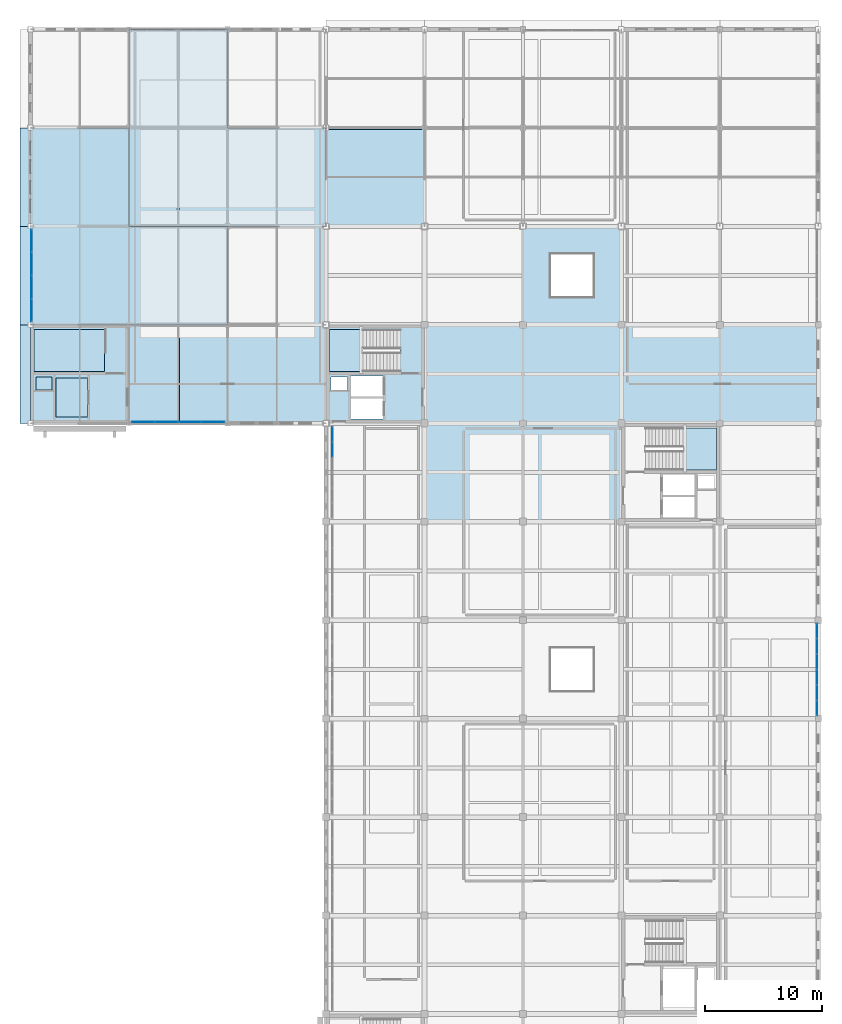
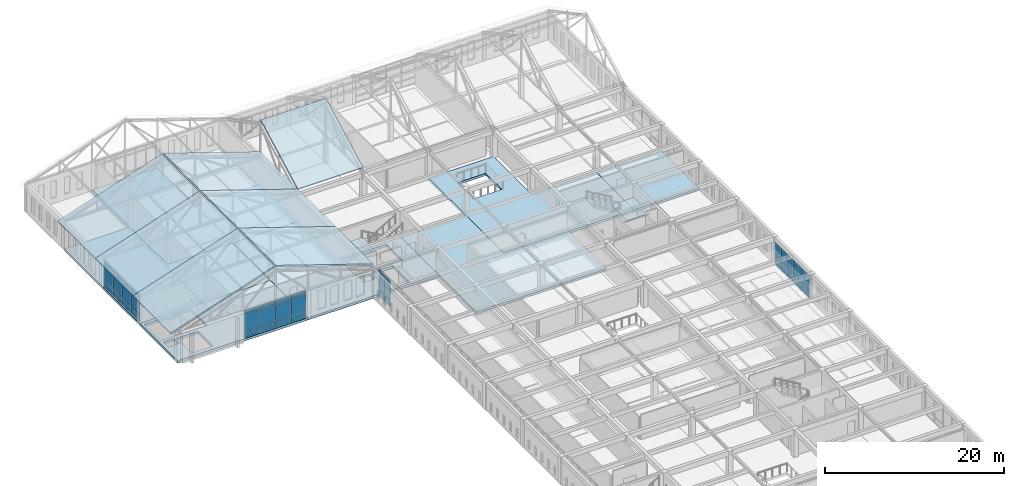
# One storey, part 31 of 56: 42 plates, 16 slabs, 6 elements without a shape of their own.
"""IFC4 building model written with IfcOpenShell, lengths in metres."""

import ifcopenshell
import ifcopenshell.guid

model = None  # the IFC model being written
_history = None  # IfcOwnerHistory: only IFC2X3 demands one
_inside = {}  # id of a spatial element -> (the spatial element, [elements in it])
_under = {}  # id of a project, library or spatial element -> (it, [spatial elements below it])
_declared = {}  # id of a project -> (the project, [libraries it declares])
_typed = {}  # id of a type object -> (the type object, [elements of that type])
_made_of = {}  # id of a material, layer set ... -> (it, [elements and type objects made of it])


def new_model(schema):
    """Start an empty IFC model of exactly this schema.

    Asked for "IFC4X3", IfcOpenShell would pick the latest addendum, in which some entities
    have other attributes; the version numbers below select the first issue.
    IFC2X3 requires an IfcOwnerHistory on every rooted entity: one is made here for all.
    """
    global model, _history
    if schema == "IFC4X3":
        model = ifcopenshell.file(schema_version=(4, 3, 0, 0))
    else:
        model = ifcopenshell.file(schema=schema)
    _inside.clear()
    _under.clear()
    _declared.clear()
    _typed.clear()
    _made_of.clear()
    _history = None
    if model.schema == "IFC2X3":
        org = make("IfcOrganization", Name="unknown")
        user = make(
            "IfcPersonAndOrganization",
            ThePerson=make("IfcPerson", FamilyName="unknown"),
            TheOrganization=org,
        )
        app = make(
            "IfcApplication",
            ApplicationDeveloper=org,
            Version="unknown",
            ApplicationFullName="unknown",
            ApplicationIdentifier="unknown",
        )
        _history = make(
            "IfcOwnerHistory",
            OwningUser=user,
            OwningApplication=app,
            ChangeAction="ADDED",
            CreationDate=0,
        )
    return model


def make(cls, **values):
    """One entity of the class cls with the attributes given. An attribute that is None is left unset."""
    return model.create_entity(
        cls, **{name: value for name, value in values.items() if value is not None}
    )


def rooted(cls, **values):
    """An entity with a GlobalId (a new one), such as an element, a storey or a relation."""
    return make(cls, GlobalId=ifcopenshell.guid.new(), OwnerHistory=_history, **values)


def si_unit(unit_type, name, prefix=None):
    """IfcSIUnit, for example si_unit("LENGTHUNIT", "METRE", prefix="MILLI")."""
    return make("IfcSIUnit", UnitType=unit_type, Prefix=prefix, Name=name)


def assignment(units):
    """IfcUnitAssignment: the units of a project."""
    return None if units is None else make("IfcUnitAssignment", Units=units)


def point(xyz):
    """IfcCartesianPoint."""
    return None if xyz is None else make("IfcCartesianPoint", Coordinates=xyz)


def direction(xyz):
    """IfcDirection."""
    return None if xyz is None else make("IfcDirection", DirectionRatios=xyz)


def frame(location, z_axis=None, x_axis=None):
    """IfcAxis2Placement3D, a coordinate frame: its origin and axes. An axis left out is left unset."""
    return make(
        "IfcAxis2Placement3D",
        Location=point(location),
        Axis=direction(z_axis),
        RefDirection=direction(x_axis),
    )


def frame_2d(location, x_axis=None):
    """IfcAxis2Placement2D, a coordinate frame in the plane: its origin and x axis."""
    return make(
        "IfcAxis2Placement2D", Location=point(location), RefDirection=direction(x_axis)
    )


def origin():
    """The frame at (0, 0, 0) with its axes left unset."""
    return frame((0.0, 0.0, 0.0))


def origin_2d():
    """The frame at (0, 0) in the plane with its x axis left unset."""
    return frame_2d((0.0, 0.0))


def place(relative_to, where):
    """IfcLocalPlacement: puts the frame where relative to a parent placement (None: the world)."""
    return make(
        "IfcLocalPlacement", PlacementRelTo=relative_to, RelativePlacement=where
    )


def context(
    kind, dimensions, precision=None, world=None, true_north=None, identifier=None
):
    """IfcGeometricRepresentationContext, for example the 3D "Model" context."""
    return make(
        "IfcGeometricRepresentationContext",
        ContextIdentifier=identifier,
        ContextType=kind,
        CoordinateSpaceDimension=dimensions,
        Precision=precision,
        WorldCoordinateSystem=world,
        TrueNorth=true_north,
    )


def subcontext(parent, identifier, kind, view, scale=None):
    """IfcGeometricRepresentationSubContext, for example "Body" below "Model"."""
    return make(
        "IfcGeometricRepresentationSubContext",
        ContextIdentifier=identifier,
        ContextType=kind,
        ParentContext=parent,
        TargetScale=scale,
        TargetView=view,
    )


def project(units=None, contexts=None):
    """IfcProject with its units and contexts."""
    return rooted(
        "IfcProject",
        Name="project",
        RepresentationContexts=contexts,
        UnitsInContext=assignment(units),
    )


def spatial(cls, under=None, at=None, **own):
    """A site, building, storey or space (cls), placed at a placement, below another one or the project."""
    s = rooted(cls, ObjectPlacement=at, **own)
    if under is not None:
        _under.setdefault(under.id(), (under, []))[1].append(s)
    return s


def polyline(points):
    """IfcPolyline through the points."""
    return make("IfcPolyline", Points=[point(p) for p in points])


def profile(cls, at=None, kind="AREA", **sizes):
    """A parametric profile (cls). Its sizes go by their IFC names, for example OverallWidth=200.0."""
    return make(cls, ProfileType=kind, Position=at, **sizes)


def rectangle(**sizes):
    """IfcRectangleProfileDef."""
    return profile("IfcRectangleProfileDef", **sizes)


def outline(outer, holes=None, kind="AREA"):
    """IfcArbitraryClosedProfileDef: a profile drawn as a closed curve; with holes, ...WithVoids."""
    if holes is None:
        return make("IfcArbitraryClosedProfileDef", ProfileType=kind, OuterCurve=outer)
    return make(
        "IfcArbitraryProfileDefWithVoids",
        ProfileType=kind,
        OuterCurve=outer,
        InnerCurves=holes,
    )


def extrude(swept, where, along, depth):
    """IfcExtrudedAreaSolid: the profile swept, set in the frame where, extruded along a direction by depth."""
    return make(
        "IfcExtrudedAreaSolid",
        SweptArea=swept,
        Position=where,
        ExtrudedDirection=direction(along),
        Depth=depth,
    )


def shape(context_of_items, identifier, shape_type, items):
    """IfcShapeRepresentation: the items that make up one representation, for example the "Body"."""
    return make(
        "IfcShapeRepresentation",
        ContextOfItems=context_of_items,
        RepresentationIdentifier=identifier,
        RepresentationType=shape_type,
        Items=items,
    )


def material(Name=None, Category=None):
    """IfcMaterial."""
    return make("IfcMaterial", Name=Name, Category=Category)


def layer(
    of_material, thickness, ventilated=None, Name=None, Category=None, Priority=None
):
    """IfcMaterialLayer: one layer of a wall or slab, of a material (None: an air gap)."""
    return make(
        "IfcMaterialLayer",
        Material=of_material,
        LayerThickness=thickness,
        IsVentilated=ventilated,
        Name=Name,
        Category=Category,
        Priority=Priority,
    )


def layer_set(layers, Name=None):
    """IfcMaterialLayerSet."""
    return make("IfcMaterialLayerSet", MaterialLayers=layers, LayerSetName=Name)


def made_of(thing, what):
    """Note that an element or type object is made of a material, layer set ...; save() writes the relation."""
    if what is not None:
        _made_of.setdefault(what.id(), (what, []))[1].append(thing)
    return thing


def type_object(cls, material=None, **own):
    """A type object (cls), such as IfcWallType, which elements share."""
    return made_of(rooted(cls, **own), material)


def element(
    cls,
    number,
    at=None,
    inside=None,
    cuts=None,
    type_object=None,
    material=None,
    context=None,
    identifier="Body",
    shape_type=None,
    held_by="IfcProductDefinitionShape",
    body=None,
    shapes=None,
    **own,
):
    """One element of the class cls, such as IfcWall. Its Tag is "e" and its number.

    at: its placement. inside: the storey or other place that contains it. cuts: it is an
    opening in that element (IfcRelVoidsElement). A single representation is given by context,
    identifier, shape_type and body (its items); several are given by shapes. held_by: the class
    of the entity that holds the representations. save() writes the other relations.
    """
    e = rooted(cls, Tag="e%d" % number, ObjectPlacement=at, **own)
    if body is not None:
        shapes = [shape(context, identifier, shape_type, body)]
    if shapes is not None:
        e.Representation = make(held_by, Representations=shapes)
    if inside is not None:
        _inside.setdefault(inside.id(), (inside, []))[1].append(e)
    if cuts is not None:
        rooted(
            "IfcRelVoidsElement", RelatingBuildingElement=cuts, RelatedOpeningElement=e
        )
    if type_object is not None:
        _typed.setdefault(type_object.id(), (type_object, []))[1].append(e)
    return made_of(e, material)


def aggregate(whole, parts):
    """IfcRelAggregates: a whole, such as a stair, and the parts it consists of."""
    return rooted("IfcRelAggregates", RelatingObject=whole, RelatedObjects=parts)


def save(model, path):
    """Write the relations noted so far, then the file.

    IfcRelAggregates (storeys below a building ...), IfcRelContainedInSpatialStructure (elements
    in a storey), IfcRelDefinesByType, IfcRelAssociatesMaterial and IfcRelDeclares: one each for
    every whole, place, type object, material and project.
    """
    for whole, parts in _under.values():
        aggregate(whole, parts)
    for where, things in _inside.values():
        rooted(
            "IfcRelContainedInSpatialStructure",
            RelatedElements=things,
            RelatingStructure=where,
        )
    for kind, things in _typed.values():
        rooted("IfcRelDefinesByType", RelatedObjects=things, RelatingType=kind)
    for what, things in _made_of.values():
        rooted("IfcRelAssociatesMaterial", RelatedObjects=things, RelatingMaterial=what)
    for by, libraries in _declared.values():
        rooted("IfcRelDeclares", RelatingContext=by, RelatedDefinitions=libraries)
    model.write(path)


model = new_model("IFC4")

# Units and contexts
model_context = context("Model", 3, precision=1e-05, world=origin(), true_north=direction((0.0, 1.0)))
body_context = subcontext(model_context, "Body", "Model", "MODEL_VIEW")
ifc_project = project(units=[si_unit("LENGTHUNIT", "METRE"), si_unit("AREAUNIT", "SQUARE_METRE"), si_unit("VOLUMEUNIT", "CUBIC_METRE"), si_unit("PLANEANGLEUNIT", "RADIAN"), si_unit("MASSUNIT", "GRAM", prefix="KILO")], contexts=[model_context])

# Site, building, storey
site_placement = place(None, origin())
site = spatial("IfcSite", under=ifc_project, at=site_placement, CompositionType="ELEMENT")
building_placement = place(site_placement, origin())
building = spatial("IfcBuilding", under=site, at=building_placement, Name="Kveldsbrygga Polytechnic", CompositionType="ELEMENT")
storey_placement = place(building_placement, frame((0.0, 0.0, 18.02001953125)))
storey = spatial("IfcBuildingStorey", under=building, at=storey_placement, Name="L04", CompositionType="ELEMENT", Elevation=18.02001953125)

# Curtain wall, plates
ifc_material_1 = material(Name="Anodised aluminium AW-6060", Category="aluminium")
ifc_layer_1 = layer(ifc_material_1, 0.179931640625)
ifc_layer_set_1 = layer_set([ifc_layer_1], Name="Anodised aluminium AW-6060")
curtain_wall_type_1 = type_object("IfcCurtainWallType", Name="CW-CONC-A", PredefinedType="USERDEFINED", material=ifc_layer_set_1)
curtain_wall_1_placement = place(storey_placement, origin())
curtain_wall_1 = element("IfcCurtainWall", 1, at=curtain_wall_1_placement, inside=storey, type_object=curtain_wall_type_1, Name="Curtain Wall CW-L04-Y-20-07", ObjectType="UNITISED CURTAIN WALL", PredefinedType="USERDEFINED")
ifc_material_2 = material(Name="Insulated triple low-E glass", Category="glass")
ifc_layer_2 = layer(ifc_material_2, 0.035888671875)
ifc_layer_set_2 = layer_set([ifc_layer_2], Name="Insulated triple low-E glass")
plate_type_1 = type_object("IfcPlateType", Name="CW-PAN-VIS36", PredefinedType="CURTAIN_PANEL", material=ifc_layer_set_2)
plate_1_placement = place(storey_placement, frame((167.89990234375, 59.718017578125, 0.06005859375), z_axis=(0.0, 0.0, 1.0), x_axis=(0.0, 1.0, 0.0)))
plate_1 = element("IfcPlate", 2, at=plate_1_placement, type_object=plate_type_1, Name="CW-01 panel 1.1", PredefinedType="CURTAIN_PANEL", context=body_context, shape_type="SweptSolid", body=[
    extrude(rectangle(XDim=1.225830078125, YDim=0.035888671875, at=origin_2d()), origin(), (0.0, 0.0, 1.0), 0.81005859375),
])
plate_2_placement = place(storey_placement, frame((167.89990234375, 59.718017578125, 0.929931640625), z_axis=(0.0, 0.0, 1.0), x_axis=(0.0, 1.0, 0.0)))
plate_2 = element("IfcPlate", 3, at=plate_2_placement, type_object=plate_type_1, Name="CW-01 panel 1.2", PredefinedType="CURTAIN_PANEL", context=body_context, shape_type="SweptSolid", body=[
    extrude(rectangle(XDim=1.225830078125, YDim=0.035888671875, at=origin_2d()), origin(), (0.0, 0.0, 1.0), 2.18994140625),
])
plate_3_placement = place(storey_placement, frame((167.89990234375, 61.018798828125, 0.06005859375), z_axis=(0.0, 0.0, 1.0), x_axis=(0.0, 1.0, 0.0)))
plate_3 = element("IfcPlate", 4, at=plate_3_placement, type_object=plate_type_1, Name="CW-01 panel 2.1", PredefinedType="CURTAIN_PANEL", context=body_context, shape_type="SweptSolid", body=[
    extrude(rectangle(XDim=1.255859375, YDim=0.035888671875, at=origin_2d()), origin(), (0.0, 0.0, 1.0), 0.81005859375),
])
plate_4_placement = place(storey_placement, frame((167.89990234375, 61.018798828125, 0.929931640625), z_axis=(0.0, 0.0, 1.0), x_axis=(0.0, 1.0, 0.0)))
plate_4 = element("IfcPlate", 5, at=plate_4_placement, type_object=plate_type_1, Name="CW-01 panel 2.2", PredefinedType="CURTAIN_PANEL", context=body_context, shape_type="SweptSolid", body=[
    extrude(rectangle(XDim=1.255859375, YDim=0.035888671875, at=origin_2d()), origin(), (0.0, 0.0, 1.0), 2.18994140625),
])
plate_5_placement = place(storey_placement, frame((167.89990234375, 62.33447265625, 0.06005859375), z_axis=(0.0, 0.0, 1.0), x_axis=(0.0, 1.0, 0.0)))
plate_5 = element("IfcPlate", 6, at=plate_5_placement, type_object=plate_type_1, Name="CW-01 panel 3.1", PredefinedType="CURTAIN_PANEL", context=body_context, shape_type="SweptSolid", body=[
    extrude(rectangle(XDim=1.255859375, YDim=0.035888671875, at=origin_2d()), origin(), (0.0, 0.0, 1.0), 0.81005859375),
])
plate_6_placement = place(storey_placement, frame((167.89990234375, 62.33447265625, 0.929931640625), z_axis=(0.0, 0.0, 1.0), x_axis=(0.0, 1.0, 0.0)))
plate_6 = element("IfcPlate", 7, at=plate_6_placement, type_object=plate_type_1, Name="CW-01 panel 3.2", PredefinedType="CURTAIN_PANEL", context=body_context, shape_type="SweptSolid", body=[
    extrude(rectangle(XDim=1.255859375, YDim=0.035888671875, at=origin_2d()), origin(), (0.0, 0.0, 1.0), 2.18994140625),
])
plate_7_placement = place(storey_placement, frame((167.89990234375, 63.650390625, 0.06005859375), z_axis=(0.0, 0.0, 1.0), x_axis=(0.0, 1.0, 0.0)))
plate_7 = element("IfcPlate", 8, at=plate_7_placement, type_object=plate_type_1, Name="CW-01 panel 4.1", PredefinedType="CURTAIN_PANEL", context=body_context, shape_type="SweptSolid", body=[
    extrude(rectangle(XDim=1.255859375, YDim=0.035888671875, at=origin_2d()), origin(), (0.0, 0.0, 1.0), 0.81005859375),
])
plate_8_placement = place(storey_placement, frame((167.89990234375, 63.650390625, 0.929931640625), z_axis=(0.0, 0.0, 1.0), x_axis=(0.0, 1.0, 0.0)))
plate_8 = element("IfcPlate", 9, at=plate_8_placement, type_object=plate_type_1, Name="CW-01 panel 4.2", PredefinedType="CURTAIN_PANEL", context=body_context, shape_type="SweptSolid", body=[
    extrude(rectangle(XDim=1.255859375, YDim=0.035888671875, at=origin_2d()), origin(), (0.0, 0.0, 1.0), 2.18994140625),
])
plate_9_placement = place(storey_placement, frame((167.89990234375, 64.96630859375, 0.06005859375), z_axis=(0.0, 0.0, 1.0), x_axis=(0.0, 1.0, 0.0)))
plate_9 = element("IfcPlate", 10, at=plate_9_placement, type_object=plate_type_1, Name="CW-01 panel 5.1", PredefinedType="CURTAIN_PANEL", context=body_context, shape_type="SweptSolid", body=[
    extrude(rectangle(XDim=1.255859375, YDim=0.035888671875, at=origin_2d()), origin(), (0.0, 0.0, 1.0), 0.81005859375),
])
plate_10_placement = place(storey_placement, frame((167.89990234375, 64.96630859375, 0.929931640625), z_axis=(0.0, 0.0, 1.0), x_axis=(0.0, 1.0, 0.0)))
plate_10 = element("IfcPlate", 11, at=plate_10_placement, type_object=plate_type_1, Name="CW-01 panel 5.2", PredefinedType="CURTAIN_PANEL", context=body_context, shape_type="SweptSolid", body=[
    extrude(rectangle(XDim=1.255859375, YDim=0.035888671875, at=origin_2d()), origin(), (0.0, 0.0, 1.0), 2.18994140625),
])
plate_11_placement = place(storey_placement, frame((167.89990234375, 66.26708984375, 0.06005859375), z_axis=(0.0, 0.0, 1.0), x_axis=(0.0, 1.0, 0.0)))
plate_11 = element("IfcPlate", 12, at=plate_11_placement, type_object=plate_type_1, Name="CW-01 panel 6.1", PredefinedType="CURTAIN_PANEL", context=body_context, shape_type="SweptSolid", body=[
    extrude(rectangle(XDim=1.225830078125, YDim=0.035888671875, at=origin_2d()), origin(), (0.0, 0.0, 1.0), 0.81005859375),
])
plate_12_placement = place(storey_placement, frame((167.89990234375, 66.26708984375, 0.929931640625), z_axis=(0.0, 0.0, 1.0), x_axis=(0.0, 1.0, 0.0)))
plate_12 = element("IfcPlate", 13, at=plate_12_placement, type_object=plate_type_1, Name="CW-01 panel 6.2", PredefinedType="CURTAIN_PANEL", context=body_context, shape_type="SweptSolid", body=[
    extrude(rectangle(XDim=1.225830078125, YDim=0.035888671875, at=origin_2d()), origin(), (0.0, 0.0, 1.0), 2.18994140625),
])
aggregate(curtain_wall_1, [plate_1, plate_2, plate_3, plate_4, plate_5, plate_6, plate_7, plate_8, plate_9, plate_10, plate_11, plate_12])

ifc_layer_3 = layer(ifc_material_1, 0.199951171875)
ifc_layer_set_3 = layer_set([ifc_layer_3], Name="Anodised aluminium AW-6060")
curtain_wall_type_2 = type_object("IfcCurtainWallType", Name="CW-LANC-E", PredefinedType="USERDEFINED", material=ifc_layer_set_3)
curtain_wall_2_placement = place(storey_placement, origin())
curtain_wall_2 = element("IfcCurtainWall", 14, at=curtain_wall_2_placement, inside=storey, type_object=curtain_wall_type_2, Name="Curtain Wall CW-L04-Y-12-11", ObjectType="UNITISED CURTAIN WALL", PredefinedType="USERDEFINED")
ifc_layer_4 = layer(ifc_material_2, 0.0419921875)
ifc_layer_set_4 = layer_set([ifc_layer_4], Name="Insulated triple low-E glass")
plate_type_2 = type_object("IfcPlateType", Name="CW-PAN-VIS42", PredefinedType="CURTAIN_PANEL", material=ifc_layer_set_4)
plate_13_placement = place(storey_placement, frame((100.89990234375, 93.6337890625, 0.06005859375), z_axis=(0.0, 0.0, 1.0), x_axis=(0.0, 1.0, 0.0)))
plate_13 = element("IfcPlate", 15, at=plate_13_placement, type_object=plate_type_2, Name="CW-05 panel 1.1", PredefinedType="CURTAIN_PANEL", context=body_context, shape_type="SweptSolid", body=[
    extrude(rectangle(XDim=1.8974609375, YDim=0.0419921875, at=origin_2d()), origin(), (0.0, 0.0, 1.0), 0.81005859375),
])
plate_14_placement = place(storey_placement, frame((100.89990234375, 93.6337890625, 0.929931640625), z_axis=(0.0, 0.0, 1.0), x_axis=(0.0, 1.0, 0.0)))
plate_14 = element("IfcPlate", 16, at=plate_14_placement, type_object=plate_type_2, Name="CW-05 panel 1.2", PredefinedType="CURTAIN_PANEL", context=body_context, shape_type="SweptSolid", body=[
    extrude(rectangle(XDim=1.8974609375, YDim=0.0419921875, at=origin_2d()), origin(), (0.0, 0.0, 1.0), 2.27001953125),
])
plate_15_placement = place(storey_placement, frame((100.89990234375, 93.6337890625, 3.260009765625), z_axis=(0.0, 0.0, 1.0), x_axis=(0.0, 1.0, 0.0)))
plate_15 = element("IfcPlate", 17, at=plate_15_placement, type_object=plate_type_2, Name="CW-05 panel 1.3", PredefinedType="CURTAIN_PANEL", context=body_context, shape_type="SweptSolid", body=[
    extrude(rectangle(XDim=1.8974609375, YDim=0.0419921875, at=origin_2d()), origin(), (0.0, 0.0, 1.0), 0.4599609375),
])
plate_16_placement = place(storey_placement, frame((100.89990234375, 95.606201171875, 0.06005859375), z_axis=(0.0, 0.0, 1.0), x_axis=(0.0, 1.0, 0.0)))
plate_16 = element("IfcPlate", 18, at=plate_16_placement, type_object=plate_type_2, Name="CW-05 panel 2.1", PredefinedType="CURTAIN_PANEL", context=body_context, shape_type="SweptSolid", body=[
    extrude(rectangle(XDim=1.927490234375, YDim=0.0419921875, at=origin_2d()), origin(), (0.0, 0.0, 1.0), 0.81005859375),
])
plate_17_placement = place(storey_placement, frame((100.89990234375, 95.606201171875, 0.929931640625), z_axis=(0.0, 0.0, 1.0), x_axis=(0.0, 1.0, 0.0)))
plate_17 = element("IfcPlate", 19, at=plate_17_placement, type_object=plate_type_2, Name="CW-05 panel 2.2", PredefinedType="CURTAIN_PANEL", context=body_context, shape_type="SweptSolid", body=[
    extrude(rectangle(XDim=1.927490234375, YDim=0.0419921875, at=origin_2d()), origin(), (0.0, 0.0, 1.0), 2.27001953125),
])
plate_18_placement = place(storey_placement, frame((100.89990234375, 95.606201171875, 3.260009765625), z_axis=(0.0, 0.0, 1.0), x_axis=(0.0, 1.0, 0.0)))
plate_18 = element("IfcPlate", 20, at=plate_18_placement, type_object=plate_type_2, Name="CW-05 panel 2.3", PredefinedType="CURTAIN_PANEL", context=body_context, shape_type="SweptSolid", body=[
    extrude(rectangle(XDim=1.927490234375, YDim=0.0419921875, at=origin_2d()), origin(), (0.0, 0.0, 1.0), 0.4599609375),
])
plate_19_placement = place(storey_placement, frame((100.89990234375, 97.59375, 0.06005859375), z_axis=(0.0, 0.0, 1.0), x_axis=(0.0, 1.0, 0.0)))
plate_19 = element("IfcPlate", 21, at=plate_19_placement, type_object=plate_type_2, Name="CW-05 panel 3.1", PredefinedType="CURTAIN_PANEL", context=body_context, shape_type="SweptSolid", body=[
    extrude(rectangle(XDim=1.927490234375, YDim=0.0419921875, at=origin_2d()), origin(), (0.0, 0.0, 1.0), 0.81005859375),
])
plate_20_placement = place(storey_placement, frame((100.89990234375, 97.59375, 0.929931640625), z_axis=(0.0, 0.0, 1.0), x_axis=(0.0, 1.0, 0.0)))
plate_20 = element("IfcPlate", 22, at=plate_20_placement, type_object=plate_type_2, Name="CW-05 panel 3.2", PredefinedType="CURTAIN_PANEL", context=body_context, shape_type="SweptSolid", body=[
    extrude(rectangle(XDim=1.927490234375, YDim=0.0419921875, at=origin_2d()), origin(), (0.0, 0.0, 1.0), 2.27001953125),
])
plate_21_placement = place(storey_placement, frame((100.89990234375, 97.59375, 3.260009765625), z_axis=(0.0, 0.0, 1.0), x_axis=(0.0, 1.0, 0.0)))
plate_21 = element("IfcPlate", 23, at=plate_21_placement, type_object=plate_type_2, Name="CW-05 panel 3.3", PredefinedType="CURTAIN_PANEL", context=body_context, shape_type="SweptSolid", body=[
    extrude(rectangle(XDim=1.927490234375, YDim=0.0419921875, at=origin_2d()), origin(), (0.0, 0.0, 1.0), 0.4599609375),
])
plate_22_placement = place(storey_placement, frame((100.89990234375, 99.566162109375, 0.06005859375), z_axis=(0.0, 0.0, 1.0), x_axis=(0.0, 1.0, 0.0)))
plate_22 = element("IfcPlate", 24, at=plate_22_placement, type_object=plate_type_2, Name="CW-05 panel 4.1", PredefinedType="CURTAIN_PANEL", context=body_context, shape_type="SweptSolid", body=[
    extrude(rectangle(XDim=1.8974609375, YDim=0.0419921875, at=origin_2d()), origin(), (0.0, 0.0, 1.0), 0.81005859375),
])
plate_23_placement = place(storey_placement, frame((100.89990234375, 99.566162109375, 0.929931640625), z_axis=(0.0, 0.0, 1.0), x_axis=(0.0, 1.0, 0.0)))
plate_23 = element("IfcPlate", 25, at=plate_23_placement, type_object=plate_type_2, Name="CW-05 panel 4.2", PredefinedType="CURTAIN_PANEL", context=body_context, shape_type="SweptSolid", body=[
    extrude(rectangle(XDim=1.8974609375, YDim=0.0419921875, at=origin_2d()), origin(), (0.0, 0.0, 1.0), 2.27001953125),
])
plate_24_placement = place(storey_placement, frame((100.89990234375, 99.566162109375, 3.260009765625), z_axis=(0.0, 0.0, 1.0), x_axis=(0.0, 1.0, 0.0)))
plate_24 = element("IfcPlate", 26, at=plate_24_placement, type_object=plate_type_2, Name="CW-05 panel 4.3", PredefinedType="CURTAIN_PANEL", context=body_context, shape_type="SweptSolid", body=[
    extrude(rectangle(XDim=1.8974609375, YDim=0.0419921875, at=origin_2d()), origin(), (0.0, 0.0, 1.0), 0.4599609375),
])
aggregate(curtain_wall_2, [plate_13, plate_14, plate_15, plate_16, plate_17, plate_18, plate_19, plate_20, plate_21, plate_22, plate_23, plate_24])

curtain_wall_3_placement = place(storey_placement, origin())
curtain_wall_3 = element("IfcCurtainWall", 27, at=curtain_wall_3_placement, inside=storey, type_object=curtain_wall_type_2, Name="Curtain Wall CW-L04-X-13-10", ObjectType="UNITISED CURTAIN WALL", PredefinedType="USERDEFINED")
plate_25_placement = place(storey_placement, frame((110.409423828125, 84.10009765625, 0.06005859375), z_axis=(0.0, 0.0, 1.0), x_axis=(1.0, 0.0, 0.0)))
plate_25 = element("IfcPlate", 28, at=plate_25_placement, type_object=plate_type_2, Name="CW-05 panel 1.1", PredefinedType="CURTAIN_PANEL", context=body_context, shape_type="SweptSolid", body=[
    extrude(rectangle(XDim=1.90869140625, YDim=0.0419921875, at=origin_2d()), origin(), (0.0, 0.0, 1.0), 0.81005859375),
])
plate_26_placement = place(storey_placement, frame((110.409423828125, 84.10009765625, 0.929931640625), z_axis=(0.0, 0.0, 1.0), x_axis=(1.0, 0.0, 0.0)))
plate_26 = element("IfcPlate", 29, at=plate_26_placement, type_object=plate_type_2, Name="CW-05 panel 1.2", PredefinedType="CURTAIN_PANEL", context=body_context, shape_type="SweptSolid", body=[
    extrude(rectangle(XDim=1.90869140625, YDim=0.0419921875, at=origin_2d()), origin(), (0.0, 0.0, 1.0), 2.27001953125),
])
plate_27_placement = place(storey_placement, frame((110.409423828125, 84.10009765625, 3.260009765625), z_axis=(0.0, 0.0, 1.0), x_axis=(1.0, 0.0, 0.0)))
plate_27 = element("IfcPlate", 30, at=plate_27_placement, type_object=plate_type_2, Name="CW-05 panel 1.3", PredefinedType="CURTAIN_PANEL", context=body_context, shape_type="SweptSolid", body=[
    extrude(rectangle(XDim=1.90869140625, YDim=0.0419921875, at=origin_2d()), origin(), (0.0, 0.0, 1.0), 0.4599609375),
])
plate_28_placement = place(storey_placement, frame((112.39306640625, 84.10009765625, 0.06005859375), z_axis=(0.0, 0.0, 1.0), x_axis=(1.0, 0.0, 0.0)))
plate_28 = element("IfcPlate", 31, at=plate_28_placement, type_object=plate_type_2, Name="CW-05 panel 2.1", PredefinedType="CURTAIN_PANEL", context=body_context, shape_type="SweptSolid", body=[
    extrude(rectangle(XDim=1.938720703125, YDim=0.0419921875, at=origin_2d()), origin(), (0.0, 0.0, 1.0), 0.81005859375),
])
plate_29_placement = place(storey_placement, frame((112.39306640625, 84.10009765625, 0.929931640625), z_axis=(0.0, 0.0, 1.0), x_axis=(1.0, 0.0, 0.0)))
plate_29 = element("IfcPlate", 32, at=plate_29_placement, type_object=plate_type_2, Name="CW-05 panel 2.2", PredefinedType="CURTAIN_PANEL", context=body_context, shape_type="SweptSolid", body=[
    extrude(rectangle(XDim=1.938720703125, YDim=0.0419921875, at=origin_2d()), origin(), (0.0, 0.0, 1.0), 2.27001953125),
])
plate_30_placement = place(storey_placement, frame((112.39306640625, 84.10009765625, 3.260009765625), z_axis=(0.0, 0.0, 1.0), x_axis=(1.0, 0.0, 0.0)))
plate_30 = element("IfcPlate", 33, at=plate_30_placement, type_object=plate_type_2, Name="CW-05 panel 2.3", PredefinedType="CURTAIN_PANEL", context=body_context, shape_type="SweptSolid", body=[
    extrude(rectangle(XDim=1.938720703125, YDim=0.0419921875, at=origin_2d()), origin(), (0.0, 0.0, 1.0), 0.4599609375),
])
plate_31_placement = place(storey_placement, frame((114.391845703125, 84.10009765625, 0.06005859375), z_axis=(0.0, 0.0, 1.0), x_axis=(1.0, 0.0, 0.0)))
plate_31 = element("IfcPlate", 34, at=plate_31_placement, type_object=plate_type_2, Name="CW-05 panel 3.1", PredefinedType="CURTAIN_PANEL", context=body_context, shape_type="SweptSolid", body=[
    extrude(rectangle(XDim=1.938720703125, YDim=0.0419921875, at=origin_2d()), origin(), (0.0, 0.0, 1.0), 0.81005859375),
])
plate_32_placement = place(storey_placement, frame((114.391845703125, 84.10009765625, 0.929931640625), z_axis=(0.0, 0.0, 1.0), x_axis=(1.0, 0.0, 0.0)))
plate_32 = element("IfcPlate", 35, at=plate_32_placement, type_object=plate_type_2, Name="CW-05 panel 3.2", PredefinedType="CURTAIN_PANEL", context=body_context, shape_type="SweptSolid", body=[
    extrude(rectangle(XDim=1.938720703125, YDim=0.0419921875, at=origin_2d()), origin(), (0.0, 0.0, 1.0), 2.27001953125),
])
plate_33_placement = place(storey_placement, frame((114.391845703125, 84.10009765625, 3.260009765625), z_axis=(0.0, 0.0, 1.0), x_axis=(1.0, 0.0, 0.0)))
plate_33 = element("IfcPlate", 36, at=plate_33_placement, type_object=plate_type_2, Name="CW-05 panel 3.3", PredefinedType="CURTAIN_PANEL", context=body_context, shape_type="SweptSolid", body=[
    extrude(rectangle(XDim=1.938720703125, YDim=0.0419921875, at=origin_2d()), origin(), (0.0, 0.0, 1.0), 0.4599609375),
])
plate_34_placement = place(storey_placement, frame((116.375732421875, 84.10009765625, 0.06005859375), z_axis=(0.0, 0.0, 1.0), x_axis=(1.0, 0.0, 0.0)))
plate_34 = element("IfcPlate", 37, at=plate_34_placement, type_object=plate_type_2, Name="CW-05 panel 4.1", PredefinedType="CURTAIN_PANEL", context=body_context, shape_type="SweptSolid", body=[
    extrude(rectangle(XDim=1.90869140625, YDim=0.0419921875, at=origin_2d()), origin(), (0.0, 0.0, 1.0), 0.81005859375),
])
plate_35_placement = place(storey_placement, frame((116.375732421875, 84.10009765625, 0.929931640625), z_axis=(0.0, 0.0, 1.0), x_axis=(1.0, 0.0, 0.0)))
plate_35 = element("IfcPlate", 38, at=plate_35_placement, type_object=plate_type_2, Name="CW-05 panel 4.2", PredefinedType="CURTAIN_PANEL", context=body_context, shape_type="SweptSolid", body=[
    extrude(rectangle(XDim=1.90869140625, YDim=0.0419921875, at=origin_2d()), origin(), (0.0, 0.0, 1.0), 2.27001953125),
])
plate_36_placement = place(storey_placement, frame((116.375732421875, 84.10009765625, 3.260009765625), z_axis=(0.0, 0.0, 1.0), x_axis=(1.0, 0.0, 0.0)))
plate_36 = element("IfcPlate", 39, at=plate_36_placement, type_object=plate_type_2, Name="CW-05 panel 4.3", PredefinedType="CURTAIN_PANEL", context=body_context, shape_type="SweptSolid", body=[
    extrude(rectangle(XDim=1.90869140625, YDim=0.0419921875, at=origin_2d()), origin(), (0.0, 0.0, 1.0), 0.4599609375),
])
aggregate(curtain_wall_3, [plate_25, plate_26, plate_27, plate_28, plate_29, plate_30, plate_31, plate_32, plate_33, plate_34, plate_35, plate_36])

ifc_layer_5 = layer(ifc_material_1, 0.169921875)
ifc_layer_set_5 = layer_set([ifc_layer_5], Name="Anodised aluminium AW-6060")
curtain_wall_type_3 = type_object("IfcCurtainWallType", Name="CW-FOYR-F", PredefinedType="USERDEFINED", material=ifc_layer_set_5)
curtain_wall_4_placement = place(storey_placement, origin())
curtain_wall_4 = element("IfcCurtainWall", 40, at=curtain_wall_4_placement, inside=storey, type_object=curtain_wall_type_3, Name="Curtain Wall CW-L04-Y-15-09", ObjectType="STICK CURTAIN WALL", PredefinedType="USERDEFINED")
ifc_layer_6 = layer(ifc_material_2, 0.048095703125)
ifc_layer_set_6 = layer_set([ifc_layer_6], Name="Insulated triple low-E glass")
plate_type_3 = type_object("IfcPlateType", Name="CW-PAN-VIS48", PredefinedType="CURTAIN_PANEL", material=ifc_layer_set_6)
plate_37_placement = place(storey_placement, frame((126.550048828125, 81.764892578125, 0.074951171875), z_axis=(0.0, 0.0, 1.0), x_axis=(0.0, 1.0, 0.0)))
plate_37 = element("IfcPlate", 41, at=plate_37_placement, type_object=plate_type_3, Name="CW-06 panel 5.1", PredefinedType="CURTAIN_PANEL", context=body_context, shape_type="SweptSolid", body=[
    extrude(rectangle(XDim=1.24658203125, YDim=0.048095703125, at=origin_2d()), origin(), (0.0, 0.0, 1.0), 0.78759765625),
])
plate_38_placement = place(storey_placement, frame((126.550048828125, 81.764892578125, 0.9375), z_axis=(0.0, 0.0, 1.0), x_axis=(0.0, 1.0, 0.0)))
plate_38 = element("IfcPlate", 42, at=plate_38_placement, type_object=plate_type_3, Name="CW-06 panel 5.2", PredefinedType="CURTAIN_PANEL", context=body_context, shape_type="SweptSolid", body=[
    extrude(rectangle(XDim=1.24658203125, YDim=0.048095703125, at=origin_2d()), origin(), (0.0, 0.0, 1.0), 2.2548828125),
])
plate_39_placement = place(storey_placement, frame((126.550048828125, 81.764892578125, 3.267578125), z_axis=(0.0, 0.0, 1.0), x_axis=(0.0, 1.0, 0.0)))
plate_39 = element("IfcPlate", 43, at=plate_39_placement, type_object=plate_type_3, Name="CW-06 panel 5.3", PredefinedType="CURTAIN_PANEL", context=body_context, shape_type="SweptSolid", body=[
    extrude(rectangle(XDim=1.24658203125, YDim=0.048095703125, at=origin_2d()), origin(), (0.0, 0.0, 1.0), 0.4375),
])
plate_40_placement = place(storey_placement, frame((126.550048828125, 83.056640625, 0.074951171875), z_axis=(0.0, 0.0, 1.0), x_axis=(0.0, 1.0, 0.0)))
plate_40 = element("IfcPlate", 44, at=plate_40_placement, type_object=plate_type_3, Name="CW-06 panel 6.1", PredefinedType="CURTAIN_PANEL", context=body_context, shape_type="SweptSolid", body=[
    extrude(rectangle(XDim=1.216552734375, YDim=0.048095703125, at=origin_2d()), origin(), (0.0, 0.0, 1.0), 0.78759765625),
])
plate_41_placement = place(storey_placement, frame((126.550048828125, 83.056640625, 0.9375), z_axis=(0.0, 0.0, 1.0), x_axis=(0.0, 1.0, 0.0)))
plate_41 = element("IfcPlate", 45, at=plate_41_placement, type_object=plate_type_3, Name="CW-06 panel 6.2", PredefinedType="CURTAIN_PANEL", context=body_context, shape_type="SweptSolid", body=[
    extrude(rectangle(XDim=1.216552734375, YDim=0.048095703125, at=origin_2d()), origin(), (0.0, 0.0, 1.0), 2.2548828125),
])
plate_42_placement = place(storey_placement, frame((126.550048828125, 83.056640625, 3.267578125), z_axis=(0.0, 0.0, 1.0), x_axis=(0.0, 1.0, 0.0)))
plate_42 = element("IfcPlate", 46, at=plate_42_placement, type_object=plate_type_3, Name="CW-06 panel 6.3", PredefinedType="CURTAIN_PANEL", context=body_context, shape_type="SweptSolid", body=[
    extrude(rectangle(XDim=1.216552734375, YDim=0.048095703125, at=origin_2d()), origin(), (0.0, 0.0, 1.0), 0.4375),
])
aggregate(curtain_wall_4, [plate_37, plate_38, plate_39, plate_40, plate_41, plate_42])

# Stair, slab
ifc_material_3 = material(Name="Concrete C35/45", Category="concrete")
stair_type = type_object("IfcStairType", Name="STR-CORE-408", PredefinedType="HALF_TURN_STAIR", material=ifc_material_3)
stair_1_placement = place(storey_placement, origin())
stair_1 = element("IfcStair", 47, at=stair_1_placement, inside=storey, type_object=stair_type, Name="L04 Core C2 Escape Stair ST-2", PredefinedType="HALF_TURN_STAIR")
ifc_layer_7 = layer(ifc_material_3, 0.199951171875)
ifc_layer_set_7 = layer_set([ifc_layer_7], Name="Concrete C35/45")
slab_type_1 = type_object("IfcSlabType", Name="SLB-LANDING-200", PredefinedType="LANDING", material=ifc_layer_set_7)
slab_1_placement = place(storey_placement, frame((0.0, 0.0, 1.840087890625)))
slab_1 = element("IfcSlab", 48, at=slab_1_placement, type_object=slab_type_1, Name="ST-2 landing 1", PredefinedType="LANDING", context=body_context, shape_type="SweptSolid", body=[
    extrude(outline(polyline([(129.159912109375, 92.0), (126.300048828125, 92.0), (126.300048828125, 88.39990234375), (129.159912109375, 88.39990234375), (129.159912109375, 92.0)])), origin(), (0.0, 0.0, 1.0), 0.199951171875),
])
aggregate(stair_1, [slab_1])

stair_2_placement = place(storey_placement, origin())
stair_2 = element("IfcStair", 49, at=stair_2_placement, inside=storey, type_object=stair_type, Name="L04 Core C4 Escape Stair ST-4", PredefinedType="HALF_TURN_STAIR")
slab_2_placement = place(storey_placement, frame((0.0, 0.0, 1.840087890625)))
slab_2 = element("IfcSlab", 50, at=slab_2_placement, type_object=slab_type_1, Name="ST-4 landing 1", PredefinedType="LANDING", context=body_context, shape_type="SweptSolid", body=[
    extrude(outline(polyline([(156.43994140625, 80.0), (159.300048828125, 80.0), (159.300048828125, 83.60009765625), (156.43994140625, 83.60009765625), (156.43994140625, 80.0)])), origin(), (0.0, 0.0, 1.0), 0.199951171875),
])
aggregate(stair_2, [slab_2])

# Slabs
ifc_layer_8 = layer(ifc_material_3, 0.219970703125)
ifc_layer_set_8 = layer_set([ifc_layer_8], Name="Concrete C35/45")
slab_type_2 = type_object("IfcSlabType", Name="SLB-ROOF-220", PredefinedType="ROOF", material=ifc_layer_set_8)
slab_3_placement = place(storey_placement, frame((99.89990234375, 84.0, 4.09130859375), z_axis=(-0.316232947327, 0.0, 0.948681570931), x_axis=(0.948681570931, 0.0, 0.316232947327)))
element("IfcSlab", 51, at=slab_3_placement, inside=storey, type_object=slab_type_2, Name="Pitched Roof Slab V4NE5-RSLB-1-1", PredefinedType="ROOF", context=body_context, shape_type="SweptSolid", body=[
    extrude(outline(polyline([(0.0, 0.0), (14.135828924621222, 0.0), (14.135828924621222, 8.39990234375), (0.0, 8.39990234375), (0.0, 0.0)])), origin(), (0.0, 0.0, -1.0), 0.219970703125),
])
slab_4_placement = place(storey_placement, frame((113.489501953125, 84.0, 8.5615234375), z_axis=(0.316227766017, 0.0, 0.948683298051), x_axis=(0.948683298051, 0.0, -0.316227766017)))
element("IfcSlab", 52, at=slab_4_placement, inside=storey, type_object=slab_type_2, Name="Pitched Roof Slab V4NE5-RSLB-1-2", PredefinedType="ROOF", context=body_context, shape_type="SweptSolid", body=[
    extrude(outline(polyline([(0.0, 0.0), (13.18722283040432, 0.0), (13.18722283040432, 8.39990234375), (0.0, 8.39990234375), (0.0, 0.0)])), origin(), (0.0, 0.0, -1.0), 0.219970703125),
])
slab_5_placement = place(storey_placement, frame((99.89990234375, 92.39990234375, 4.09130859375), z_axis=(-0.316232947327, 0.0, 0.948681570931), x_axis=(0.948681570931, 0.0, 0.316232947327)))
element("IfcSlab", 53, at=slab_5_placement, inside=storey, type_object=slab_type_2, Name="Pitched Roof Slab V4NE5-RSLB-2-1", PredefinedType="ROOF", context=body_context, shape_type="SweptSolid", body=[
    extrude(outline(polyline([(0.0, 0.0), (14.135828924621222, 0.0), (14.135828924621222, 8.400146484375), (0.0, 8.400146484375), (0.0, 0.0)])), origin(), (0.0, 0.0, -1.0), 0.219970703125),
])
slab_6_placement = place(storey_placement, frame((113.489501953125, 92.39990234375, 8.5615234375), z_axis=(0.316227766017, 0.0, 0.948683298051), x_axis=(0.948683298051, 0.0, -0.316227766017)))
element("IfcSlab", 54, at=slab_6_placement, inside=storey, type_object=slab_type_2, Name="Pitched Roof Slab V4NE5-RSLB-2-2", PredefinedType="ROOF", context=body_context, shape_type="SweptSolid", body=[
    extrude(outline(polyline([(0.0, 0.0), (13.18722283040432, 0.0), (13.18722283040432, 8.400146484375), (0.0, 8.400146484375), (0.0, 0.0)])), origin(), (0.0, 0.0, -1.0), 0.219970703125),
])
slab_7_placement = place(storey_placement, frame((99.89990234375, 100.800048828125, 4.09130859375), z_axis=(-0.316232947327, 0.0, 0.948681570931), x_axis=(0.948681570931, 0.0, 0.316232947327)))
element("IfcSlab", 55, at=slab_7_placement, inside=storey, type_object=slab_type_2, Name="Pitched Roof Slab V4NE5-RSLB-3-1", PredefinedType="ROOF", context=body_context, shape_type="SweptSolid", body=[
    extrude(outline(polyline([(0.0, 0.0), (14.135828924621222, 0.0), (14.135828924621222, 8.39990234375), (0.0, 8.39990234375), (0.0, 0.0)])), origin(), (0.0, 0.0, -1.0), 0.219970703125),
])
slab_8_placement = place(storey_placement, frame((113.489501953125, 100.800048828125, 8.5615234375), z_axis=(0.316227766017, 0.0, 0.948683298051), x_axis=(0.948683298051, 0.0, -0.316227766017)))
element("IfcSlab", 56, at=slab_8_placement, inside=storey, type_object=slab_type_2, Name="Pitched Roof Slab V4NE5-RSLB-3-2", PredefinedType="ROOF", context=body_context, shape_type="SweptSolid", body=[
    extrude(outline(polyline([(0.0, 0.0), (13.18722283040432, 0.0), (13.18722283040432, 8.39990234375), (0.0, 8.39990234375), (0.0, 0.0)])), origin(), (0.0, 0.0, -1.0), 0.219970703125),
])
slab_9_placement = place(storey_placement, frame((126.0, 100.800048828125, 4.407958984375), z_axis=(0.0, -0.468149968115, 0.88364902951), x_axis=(1.0, 0.0, 0.0)))
element("IfcSlab", 57, at=slab_9_placement, inside=storey, type_object=slab_type_2, Name="Pitched Roof Slab V4N5-RSLB-1-1", PredefinedType="ROOF", context=body_context, shape_type="SweptSolid", body=[
    extrude(outline(polyline([(0.0, 0.0), (8.39990234375, 0.0), (8.39990234375, 9.36667748431659), (0.0, 9.36667748431659), (0.0, 0.0)])), origin(), (0.0, 0.0, -1.0), 0.219970703125),
])
ifc_layer_9 = layer(ifc_material_3, 0.330078125)
ifc_layer_set_9 = layer_set([ifc_layer_9], Name="Concrete C35/45")
slab_type_3 = type_object("IfcSlabType", Name="SLB-STACK-330", PredefinedType="FLOOR", material=ifc_layer_set_9)
slab_10_placement = place(storey_placement, frame((0.0, 0.0, -0.330078125)))
element("IfcSlab", 58, at=slab_10_placement, inside=storey, type_object=slab_type_3, Name="Slab SLB-L04-V4-L01-1", PredefinedType="FLOOR", context=body_context, shape_type="SweptSolid", body=[
    extrude(outline(polyline([(100.800048828125, 92.39990234375), (100.800048828125, 100.800048828125), (100.800048828125, 109.199951171875), (109.199951171875, 109.199951171875), (109.199951171875, 100.800048828125), (117.60009765625, 100.800048828125), (117.60009765625, 92.39990234375), (109.199951171875, 92.39990234375), (100.800048828125, 92.39990234375)])), origin(), (0.0, 0.0, 1.0), 0.330078125),
])
slab_11_placement = place(storey_placement, frame((0.0, 0.0, -0.330078125)))
element("IfcSlab", 59, at=slab_11_placement, inside=storey, type_object=slab_type_3, Name="Slab SLB-L04-V4-L02-1", PredefinedType="FLOOR", context=body_context, shape_type="SweptSolid", body=[
    extrude(outline(polyline([(109.199951171875, 100.800048828125), (109.199951171875, 109.199951171875), (109.199951171875, 117.60009765625), (117.60009765625, 117.60009765625), (117.60009765625, 109.199951171875), (126.0, 109.199951171875), (126.0, 100.800048828125), (117.60009765625, 100.800048828125), (109.199951171875, 100.800048828125)])), origin(), (0.0, 0.0, 1.0), 0.330078125),
])
slab_12_placement = place(storey_placement, frame((0.0, 0.0, -0.330078125)))
element("IfcSlab", 60, at=slab_12_placement, inside=storey, type_object=slab_type_3, Name="Slab SLB-L04-V4-L08-1", PredefinedType="FLOOR", context=body_context, shape_type="SweptSolid", body=[
    extrude(outline(polyline([(134.39990234375, 75.60009765625), (134.39990234375, 84.0), (134.39990234375, 92.39990234375), (142.800048828125, 92.39990234375), (142.800048828125, 84.0), (151.199951171875, 84.0), (151.199951171875, 75.60009765625), (142.800048828125, 75.60009765625), (134.39990234375, 75.60009765625)])), origin(), (0.0, 0.0, 1.0), 0.330078125),
])
slab_13_placement = place(storey_placement, frame((0.0, 0.0, -0.330078125)))
element("IfcSlab", 61, at=slab_13_placement, inside=storey, type_object=slab_type_3, Name="Slab SLB-L04-V4-L13-1", PredefinedType="FLOOR", context=body_context, shape_type="SweptSolid", body=[
    extrude(outline(polyline([(142.800048828125, 84.0), (142.800048828125, 92.39990234375), (142.800048828125, 100.800048828125), (151.199951171875, 100.800048828125), (151.199951171875, 92.39990234375), (159.60009765625, 92.39990234375), (159.60009765625, 84.0), (151.199951171875, 84.0), (142.800048828125, 84.0)]), holes=[polyline([(145.199951171875, 94.800048828125), (148.800048828125, 94.800048828125), (148.800048828125, 98.39990234375), (145.199951171875, 98.39990234375), (145.199951171875, 94.800048828125)])]), origin(), (0.0, 0.0, 1.0), 0.330078125),
])
slab_14_placement = place(storey_placement, frame((0.0, 0.0, -0.330078125)))
element("IfcSlab", 62, at=slab_14_placement, inside=storey, type_object=slab_type_3, Name="Slab SLB-L04-V4-Z8-1", PredefinedType="FLOOR", context=body_context, shape_type="SweptSolid", body=[
    extrude(outline(polyline([(100.800048828125, 84.0), (100.800048828125, 92.39990234375), (109.199951171875, 92.39990234375), (117.60009765625, 92.39990234375), (117.60009765625, 84.0), (109.199951171875, 84.0), (100.800048828125, 84.0)]), holes=[polyline([(107.125, 92.0), (101.10009765625, 92.0), (101.10009765625, 88.39990234375), (107.125, 88.39990234375), (107.125, 92.0)]), polyline([(102.949951171875, 84.550048828125), (105.64990234375, 84.550048828125), (105.64990234375, 87.85009765625), (102.949951171875, 87.85009765625), (102.949951171875, 84.550048828125)]), polyline([(101.25, 86.85009765625), (102.64990234375, 86.85009765625), (102.64990234375, 87.949951171875), (101.25, 87.949951171875), (101.25, 86.85009765625)])]), origin(), (0.0, 0.0, 1.0), 0.330078125),
])
slab_15_placement = place(storey_placement, frame((0.0, 0.0, -0.330078125)))
element("IfcSlab", 63, at=slab_15_placement, inside=storey, type_object=slab_type_3, Name="Slab SLB-L04-V4-Z9-1", PredefinedType="FLOOR", context=body_context, shape_type="SweptSolid", body=[
    extrude(outline(polyline([(117.60009765625, 100.800048828125), (126.0, 100.800048828125), (126.0, 92.39990234375), (134.39990234375, 92.39990234375), (134.39990234375, 84.0), (126.0, 84.0), (117.60009765625, 84.0), (117.60009765625, 92.39990234375), (117.60009765625, 100.800048828125)]), holes=[polyline([(132.324951171875, 92.0), (126.300048828125, 92.0), (126.300048828125, 88.39990234375), (132.324951171875, 88.39990234375), (132.324951171875, 92.0)]), polyline([(128.14990234375, 84.35009765625), (130.85009765625, 84.35009765625), (130.85009765625, 88.050048828125), (128.14990234375, 88.050048828125), (128.14990234375, 84.35009765625)]), polyline([(126.449951171875, 86.85009765625), (127.85009765625, 86.85009765625), (127.85009765625, 87.949951171875), (126.449951171875, 87.949951171875), (126.449951171875, 86.85009765625)])]), origin(), (0.0, 0.0, 1.0), 0.330078125),
])
slab_16_placement = place(storey_placement, frame((0.0, 0.0, -0.330078125)))
element("IfcSlab", 64, at=slab_16_placement, inside=storey, type_object=slab_type_3, Name="Slab SLB-L04-V4-Z9-2", PredefinedType="FLOOR", context=body_context, shape_type="SweptSolid", body=[
    extrude(outline(polyline([(168.0, 92.39990234375), (168.0, 84.0), (159.60009765625, 84.0), (159.60009765625, 92.39990234375), (168.0, 92.39990234375)])), origin(), (0.0, 0.0, 1.0), 0.330078125),
])

save(model, "model.ifc")
